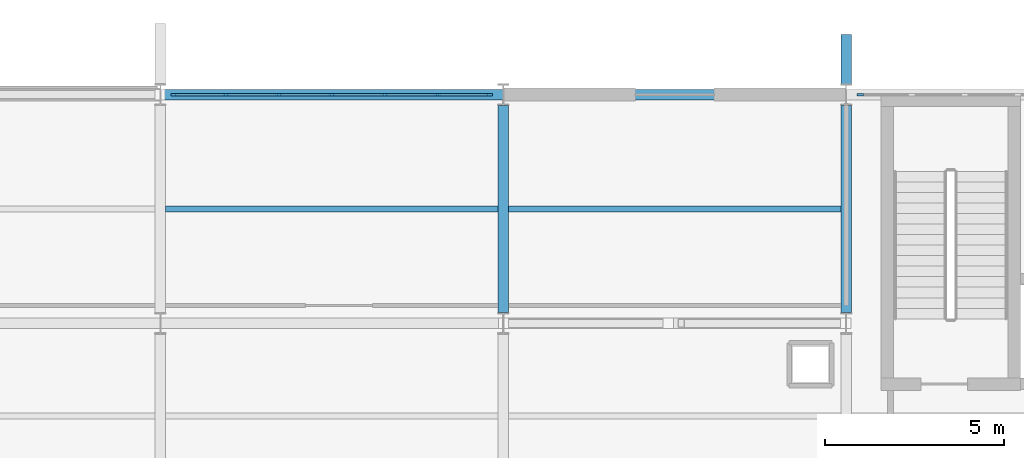
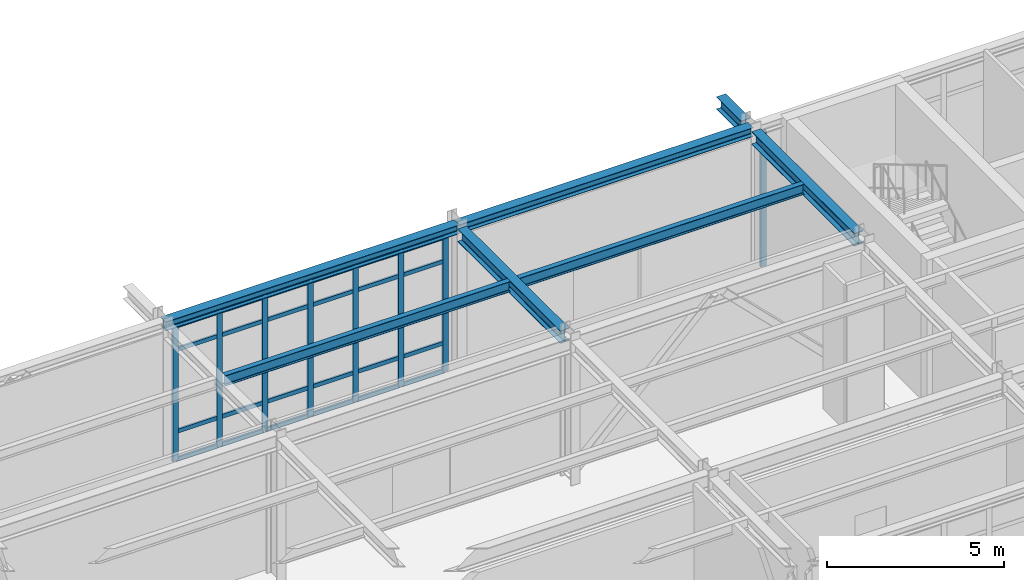
# One storey, part 57 of 109: 32 members, 7 beams, 2 elements without a shape of their own.
"""IFC4 building model written with IfcOpenShell, lengths in metres."""

from ifc_helpers import new_model, si_unit, direction, frame, origin, origin_2d, place, context, subcontext, project, spatial, rectangle, i_section, extrude, material, layer, layer_set, material_profile, profile_set, type_object, element, aggregate, save


model = new_model("IFC4")

# Units and contexts
model_context = context("Model", 3, precision=1e-05, world=origin(), true_north=direction((0.0, 1.0)))
body_context = subcontext(model_context, "Body", "Model", "MODEL_VIEW")
ifc_project = project(units=[si_unit("LENGTHUNIT", "METRE"), si_unit("AREAUNIT", "SQUARE_METRE"), si_unit("VOLUMEUNIT", "CUBIC_METRE"), si_unit("PLANEANGLEUNIT", "RADIAN"), si_unit("MASSUNIT", "GRAM", prefix="KILO")], contexts=[model_context])

# Site, building, storey
site_placement = place(None, origin())
site = spatial("IfcSite", under=ifc_project, at=site_placement, CompositionType="ELEMENT")
building_placement = place(site_placement, origin())
building = spatial("IfcBuilding", under=site, at=building_placement, Name="Nordkorset Police Headquarters", CompositionType="ELEMENT")
storey_placement = place(building_placement, origin())
storey = spatial("IfcBuildingStorey", under=building, at=storey_placement, Name="L00", CompositionType="ELEMENT", Elevation=0.0)

# Beams
ifc_material_1 = material(Name="Steel S355J2", Category="steel")
ifc_material_profile_1 = material_profile(ifc_material_1, i_section(OverallWidth=0.169921875, OverallDepth=0.360107421875, WebThickness=0.008056640625, FlangeThickness=0.0126953125, FilletRadius=0.01806640625, at=origin_2d()), Name="IPE 360")
ifc_profile_set_1 = profile_set([ifc_material_profile_1], Name="Steel S355J2")
beam_type_1 = type_object("IfcBeamType", Name="Beam_IPE_360", PredefinedType="BEAM", material=ifc_profile_set_1)
for number, where, z_axis, x_axis, name in (
    (1, (38.550048828125, 113.60009765625, 4.820068359375), (1.0, 0.0, 0.0), (0.0, 1.0, 0.0), "Composite Floor Beam V2 L00 1-2-1"),
    (2, (48.14990234375, 113.60009765625, 4.820068359375), (1.0, 0.0, 0.0), (0.0, 1.0, 0.0), "Composite Floor Beam V2 L00 2-2-1"),
):
    element("IfcBeam", number, at=place(storey_placement, frame(where, z_axis=z_axis, x_axis=x_axis)), inside=storey, type_object=beam_type_1, Name=name, PredefinedType="BEAM", context=body_context, shape_type="SweptSolid", body=[
        extrude(i_section(OverallWidth=0.169921875, OverallDepth=0.360107421875, WebThickness=0.008056640625, FlangeThickness=0.0126953125, FilletRadius=0.01806640625, at=origin_2d()), origin(), (0.0, 0.0, 1.0), 9.300048828125),
    ])

# Curtain wall, members
ifc_material_2 = material(Name="Aluminium alloy AW-6060", Category="aluminium")
ifc_layer = layer(ifc_material_2, 0.179931640625, Name="Aluminium alloy AW-6060")
ifc_layer_set = layer_set([ifc_layer], Name="Aluminium alloy AW-6060")
curtain_wall_type = type_object("IfcCurtainWallType", Name="CW_Unit_888x467", PredefinedType="USERDEFINED", material=ifc_layer_set)
curtain_wall_1_placement = place(storey_placement, origin())
curtain_wall_1 = element("IfcCurtainWall", 3, at=curtain_wall_1_placement, inside=storey, type_object=curtain_wall_type, Name="Unitised Curtain Wall L00 V2N-1", ObjectType="UNITISED CURTAIN WALL", PredefinedType="USERDEFINED")
ifc_material_3 = material(Name="Aluminium alloy AW-6060", Category="aluminium")
ifc_material_profile_2 = material_profile(ifc_material_3, rectangle(XDim=0.06494140625, YDim=0.179931640625, at=origin_2d()), Name="ALU MULL 65x180")
ifc_profile_set_2 = profile_set([ifc_material_profile_2], Name="Aluminium alloy AW-6060")
member_type_1 = type_object("IfcMemberType", Name="CW_Mullion_65x180", PredefinedType="MULLION", material=ifc_profile_set_2)
member_1_placement = place(storey_placement, frame((38.79248046875, 116.800048828125, 0.0), z_axis=(0.0, 0.0, 1.0), x_axis=(0.0, 1.0, 0.0)))
member_1 = element("IfcMember", 4, at=member_1_placement, type_object=member_type_1, Name="CW-51 mullion 1", PredefinedType="MULLION", context=body_context, shape_type="SweptSolid", body=[
    extrude(rectangle(XDim=0.06494140625, YDim=0.179931640625, at=origin_2d()), origin(), (0.0, 0.0, 1.0), 4.669921875),
])
member_2_placement = place(storey_placement, frame((40.239990234375, 116.800048828125, 0.0), z_axis=(0.0, 0.0, 1.0), x_axis=(0.0, 1.0, 0.0)))
member_2 = element("IfcMember", 5, at=member_2_placement, type_object=member_type_1, Name="CW-51 mullion 2", PredefinedType="MULLION", context=body_context, shape_type="SweptSolid", body=[
    extrude(rectangle(XDim=0.06494140625, YDim=0.179931640625, at=origin_2d()), origin(), (0.0, 0.0, 1.0), 4.669921875),
])
member_3_placement = place(storey_placement, frame((41.719970703125, 116.800048828125, 0.0), z_axis=(0.0, 0.0, 1.0), x_axis=(0.0, 1.0, 0.0)))
member_3 = element("IfcMember", 6, at=member_3_placement, type_object=member_type_1, Name="CW-51 mullion 3", PredefinedType="MULLION", context=body_context, shape_type="SweptSolid", body=[
    extrude(rectangle(XDim=0.06494140625, YDim=0.179931640625, at=origin_2d()), origin(), (0.0, 0.0, 1.0), 4.669921875),
])
member_4_placement = place(storey_placement, frame((43.199951171875, 116.800048828125, 0.0), z_axis=(0.0, 0.0, 1.0), x_axis=(0.0, 1.0, 0.0)))
member_4 = element("IfcMember", 7, at=member_4_placement, type_object=member_type_1, Name="CW-51 mullion 4", PredefinedType="MULLION", context=body_context, shape_type="SweptSolid", body=[
    extrude(rectangle(XDim=0.06494140625, YDim=0.179931640625, at=origin_2d()), origin(), (0.0, 0.0, 1.0), 4.669921875),
])
member_5_placement = place(storey_placement, frame((44.679931640625, 116.800048828125, 0.0), z_axis=(0.0, 0.0, 1.0), x_axis=(0.0, 1.0, 0.0)))
member_5 = element("IfcMember", 8, at=member_5_placement, type_object=member_type_1, Name="CW-51 mullion 5", PredefinedType="MULLION", context=body_context, shape_type="SweptSolid", body=[
    extrude(rectangle(XDim=0.06494140625, YDim=0.179931640625, at=origin_2d()), origin(), (0.0, 0.0, 1.0), 4.669921875),
])
member_6_placement = place(storey_placement, frame((46.159912109375, 116.800048828125, 0.0), z_axis=(0.0, 0.0, 1.0), x_axis=(0.0, 1.0, 0.0)))
member_6 = element("IfcMember", 9, at=member_6_placement, type_object=member_type_1, Name="CW-51 mullion 6", PredefinedType="MULLION", context=body_context, shape_type="SweptSolid", body=[
    extrude(rectangle(XDim=0.06494140625, YDim=0.179931640625, at=origin_2d()), origin(), (0.0, 0.0, 1.0), 4.669921875),
])
member_7_placement = place(storey_placement, frame((47.607421875, 116.800048828125, 0.0), z_axis=(0.0, 0.0, 1.0), x_axis=(0.0, 1.0, 0.0)))
member_7 = element("IfcMember", 10, at=member_7_placement, type_object=member_type_1, Name="CW-51 mullion 7", PredefinedType="MULLION", context=body_context, shape_type="SweptSolid", body=[
    extrude(rectangle(XDim=0.06494140625, YDim=0.179931640625, at=origin_2d()), origin(), (0.0, 0.0, 1.0), 4.669921875),
])

# Curtain wall, member
curtain_wall_2_placement = place(storey_placement, origin())
curtain_wall_2 = element("IfcCurtainWall", 11, at=curtain_wall_2_placement, inside=storey, type_object=curtain_wall_type, Name="Unitised Curtain Wall L00 V2N-3", ObjectType="UNITISED CURTAIN WALL", PredefinedType="USERDEFINED")
member_8_placement = place(storey_placement, frame((57.992431640625, 116.800048828125, 0.0), z_axis=(0.0, 0.0, 1.0), x_axis=(0.0, 1.0, 0.0)))
member_8 = element("IfcMember", 12, at=member_8_placement, type_object=member_type_1, Name="CW-51 mullion 1", PredefinedType="MULLION", context=body_context, shape_type="SweptSolid", body=[
    extrude(rectangle(XDim=0.06494140625, YDim=0.179931640625, at=origin_2d()), origin(), (0.0, 0.0, 1.0), 4.669921875),
])
aggregate(curtain_wall_2, [member_8])

# Member
ifc_material_4 = material(Name="Aluminium alloy AW-6060", Category="aluminium")
ifc_material_profile_3 = material_profile(ifc_material_4, rectangle(XDim=0.06494140625, YDim=0.139892578125, at=origin_2d()), Name="ALU TRAN 65x140")
ifc_profile_set_3 = profile_set([ifc_material_profile_3], Name="Aluminium alloy AW-6060")
member_type_2 = type_object("IfcMemberType", Name="CW_Transom_65x140", PredefinedType="USERDEFINED", material=ifc_profile_set_3)
member_9_placement = place(storey_placement, frame((38.824951171875, 116.800048828125, 0.032470703125), z_axis=(1.0, 0.0, 0.0), x_axis=(0.0, 1.0, 0.0)))
member_9 = element("IfcMember", 13, at=member_9_placement, type_object=member_type_2, Name="CW-51 transom 1.1", ObjectType="TRANSOM", PredefinedType="USERDEFINED", context=body_context, shape_type="SweptSolid", body=[
    extrude(rectangle(XDim=0.06494140625, YDim=0.139892578125, at=origin_2d()), origin(), (0.0, 0.0, 1.0), 1.382568359375),
])

member_10_placement = place(storey_placement, frame((38.824951171875, 116.800048828125, 1.0), z_axis=(1.0, 0.0, 0.0), x_axis=(0.0, 1.0, 0.0)))
member_10 = element("IfcMember", 14, at=member_10_placement, type_object=member_type_2, Name="CW-51 transom 1.2", ObjectType="TRANSOM", PredefinedType="USERDEFINED", context=body_context, shape_type="SweptSolid", body=[
    extrude(rectangle(XDim=0.06494140625, YDim=0.139892578125, at=origin_2d()), origin(), (0.0, 0.0, 1.0), 1.382568359375),
])

member_11_placement = place(storey_placement, frame((38.824951171875, 116.800048828125, 3.820068359375), z_axis=(1.0, 0.0, 0.0), x_axis=(0.0, 1.0, 0.0)))
member_11 = element("IfcMember", 15, at=member_11_placement, type_object=member_type_2, Name="CW-51 transom 1.3", ObjectType="TRANSOM", PredefinedType="USERDEFINED", context=body_context, shape_type="SweptSolid", body=[
    extrude(rectangle(XDim=0.06494140625, YDim=0.139892578125, at=origin_2d()), origin(), (0.0, 0.0, 1.0), 1.382568359375),
])

member_12_placement = place(storey_placement, frame((38.824951171875, 116.800048828125, 4.637451171875), z_axis=(1.0, 0.0, 0.0), x_axis=(0.0, 1.0, 0.0)))
member_12 = element("IfcMember", 16, at=member_12_placement, type_object=member_type_2, Name="CW-51 transom 1.4", ObjectType="TRANSOM", PredefinedType="USERDEFINED", context=body_context, shape_type="SweptSolid", body=[
    extrude(rectangle(XDim=0.06494140625, YDim=0.139892578125, at=origin_2d()), origin(), (0.0, 0.0, 1.0), 1.382568359375),
])

member_13_placement = place(storey_placement, frame((40.2724609375, 116.800048828125, 0.032470703125), z_axis=(1.0, 0.0, 0.0), x_axis=(0.0, 1.0, 0.0)))
member_13 = element("IfcMember", 17, at=member_13_placement, type_object=member_type_2, Name="CW-51 transom 2.1", ObjectType="TRANSOM", PredefinedType="USERDEFINED", context=body_context, shape_type="SweptSolid", body=[
    extrude(rectangle(XDim=0.06494140625, YDim=0.139892578125, at=origin_2d()), origin(), (0.0, 0.0, 1.0), 1.4150390625),
])

member_14_placement = place(storey_placement, frame((40.2724609375, 116.800048828125, 1.0), z_axis=(1.0, 0.0, 0.0), x_axis=(0.0, 1.0, 0.0)))
member_14 = element("IfcMember", 18, at=member_14_placement, type_object=member_type_2, Name="CW-51 transom 2.2", ObjectType="TRANSOM", PredefinedType="USERDEFINED", context=body_context, shape_type="SweptSolid", body=[
    extrude(rectangle(XDim=0.06494140625, YDim=0.139892578125, at=origin_2d()), origin(), (0.0, 0.0, 1.0), 1.4150390625),
])

member_15_placement = place(storey_placement, frame((40.2724609375, 116.800048828125, 3.820068359375), z_axis=(1.0, 0.0, 0.0), x_axis=(0.0, 1.0, 0.0)))
member_15 = element("IfcMember", 19, at=member_15_placement, type_object=member_type_2, Name="CW-51 transom 2.3", ObjectType="TRANSOM", PredefinedType="USERDEFINED", context=body_context, shape_type="SweptSolid", body=[
    extrude(rectangle(XDim=0.06494140625, YDim=0.139892578125, at=origin_2d()), origin(), (0.0, 0.0, 1.0), 1.4150390625),
])

member_16_placement = place(storey_placement, frame((40.2724609375, 116.800048828125, 4.637451171875), z_axis=(1.0, 0.0, 0.0), x_axis=(0.0, 1.0, 0.0)))
member_16 = element("IfcMember", 20, at=member_16_placement, type_object=member_type_2, Name="CW-51 transom 2.4", ObjectType="TRANSOM", PredefinedType="USERDEFINED", context=body_context, shape_type="SweptSolid", body=[
    extrude(rectangle(XDim=0.06494140625, YDim=0.139892578125, at=origin_2d()), origin(), (0.0, 0.0, 1.0), 1.4150390625),
])

member_17_placement = place(storey_placement, frame((41.75244140625, 116.800048828125, 0.032470703125), z_axis=(1.0, 0.0, 0.0), x_axis=(0.0, 1.0, 0.0)))
member_17 = element("IfcMember", 21, at=member_17_placement, type_object=member_type_2, Name="CW-51 transom 3.1", ObjectType="TRANSOM", PredefinedType="USERDEFINED", context=body_context, shape_type="SweptSolid", body=[
    extrude(rectangle(XDim=0.06494140625, YDim=0.139892578125, at=origin_2d()), origin(), (0.0, 0.0, 1.0), 1.4150390625),
])

member_18_placement = place(storey_placement, frame((41.75244140625, 116.800048828125, 1.0), z_axis=(1.0, 0.0, 0.0), x_axis=(0.0, 1.0, 0.0)))
member_18 = element("IfcMember", 22, at=member_18_placement, type_object=member_type_2, Name="CW-51 transom 3.2", ObjectType="TRANSOM", PredefinedType="USERDEFINED", context=body_context, shape_type="SweptSolid", body=[
    extrude(rectangle(XDim=0.06494140625, YDim=0.139892578125, at=origin_2d()), origin(), (0.0, 0.0, 1.0), 1.4150390625),
])

member_19_placement = place(storey_placement, frame((41.75244140625, 116.800048828125, 3.820068359375), z_axis=(1.0, 0.0, 0.0), x_axis=(0.0, 1.0, 0.0)))
member_19 = element("IfcMember", 23, at=member_19_placement, type_object=member_type_2, Name="CW-51 transom 3.3", ObjectType="TRANSOM", PredefinedType="USERDEFINED", context=body_context, shape_type="SweptSolid", body=[
    extrude(rectangle(XDim=0.06494140625, YDim=0.139892578125, at=origin_2d()), origin(), (0.0, 0.0, 1.0), 1.4150390625),
])

member_20_placement = place(storey_placement, frame((41.75244140625, 116.800048828125, 4.637451171875), z_axis=(1.0, 0.0, 0.0), x_axis=(0.0, 1.0, 0.0)))
member_20 = element("IfcMember", 24, at=member_20_placement, type_object=member_type_2, Name="CW-51 transom 3.4", ObjectType="TRANSOM", PredefinedType="USERDEFINED", context=body_context, shape_type="SweptSolid", body=[
    extrude(rectangle(XDim=0.06494140625, YDim=0.139892578125, at=origin_2d()), origin(), (0.0, 0.0, 1.0), 1.4150390625),
])

member_21_placement = place(storey_placement, frame((43.232421875, 116.800048828125, 0.032470703125), z_axis=(1.0, 0.0, 0.0), x_axis=(0.0, 1.0, 0.0)))
member_21 = element("IfcMember", 25, at=member_21_placement, type_object=member_type_2, Name="CW-51 transom 4.1", ObjectType="TRANSOM", PredefinedType="USERDEFINED", context=body_context, shape_type="SweptSolid", body=[
    extrude(rectangle(XDim=0.06494140625, YDim=0.139892578125, at=origin_2d()), origin(), (0.0, 0.0, 1.0), 1.4150390625),
])

member_22_placement = place(storey_placement, frame((43.232421875, 116.800048828125, 1.0), z_axis=(1.0, 0.0, 0.0), x_axis=(0.0, 1.0, 0.0)))
member_22 = element("IfcMember", 26, at=member_22_placement, type_object=member_type_2, Name="CW-51 transom 4.2", ObjectType="TRANSOM", PredefinedType="USERDEFINED", context=body_context, shape_type="SweptSolid", body=[
    extrude(rectangle(XDim=0.06494140625, YDim=0.139892578125, at=origin_2d()), origin(), (0.0, 0.0, 1.0), 1.4150390625),
])

member_23_placement = place(storey_placement, frame((43.232421875, 116.800048828125, 3.820068359375), z_axis=(1.0, 0.0, 0.0), x_axis=(0.0, 1.0, 0.0)))
member_23 = element("IfcMember", 27, at=member_23_placement, type_object=member_type_2, Name="CW-51 transom 4.3", ObjectType="TRANSOM", PredefinedType="USERDEFINED", context=body_context, shape_type="SweptSolid", body=[
    extrude(rectangle(XDim=0.06494140625, YDim=0.139892578125, at=origin_2d()), origin(), (0.0, 0.0, 1.0), 1.4150390625),
])

member_24_placement = place(storey_placement, frame((43.232421875, 116.800048828125, 4.637451171875), z_axis=(1.0, 0.0, 0.0), x_axis=(0.0, 1.0, 0.0)))
member_24 = element("IfcMember", 28, at=member_24_placement, type_object=member_type_2, Name="CW-51 transom 4.4", ObjectType="TRANSOM", PredefinedType="USERDEFINED", context=body_context, shape_type="SweptSolid", body=[
    extrude(rectangle(XDim=0.06494140625, YDim=0.139892578125, at=origin_2d()), origin(), (0.0, 0.0, 1.0), 1.4150390625),
])

member_25_placement = place(storey_placement, frame((44.71240234375, 116.800048828125, 0.032470703125), z_axis=(1.0, 0.0, 0.0), x_axis=(0.0, 1.0, 0.0)))
member_25 = element("IfcMember", 29, at=member_25_placement, type_object=member_type_2, Name="CW-51 transom 5.1", ObjectType="TRANSOM", PredefinedType="USERDEFINED", context=body_context, shape_type="SweptSolid", body=[
    extrude(rectangle(XDim=0.06494140625, YDim=0.139892578125, at=origin_2d()), origin(), (0.0, 0.0, 1.0), 1.4150390625),
])

member_26_placement = place(storey_placement, frame((44.71240234375, 116.800048828125, 1.0), z_axis=(1.0, 0.0, 0.0), x_axis=(0.0, 1.0, 0.0)))
member_26 = element("IfcMember", 30, at=member_26_placement, type_object=member_type_2, Name="CW-51 transom 5.2", ObjectType="TRANSOM", PredefinedType="USERDEFINED", context=body_context, shape_type="SweptSolid", body=[
    extrude(rectangle(XDim=0.06494140625, YDim=0.139892578125, at=origin_2d()), origin(), (0.0, 0.0, 1.0), 1.4150390625),
])

member_27_placement = place(storey_placement, frame((44.71240234375, 116.800048828125, 3.820068359375), z_axis=(1.0, 0.0, 0.0), x_axis=(0.0, 1.0, 0.0)))
member_27 = element("IfcMember", 31, at=member_27_placement, type_object=member_type_2, Name="CW-51 transom 5.3", ObjectType="TRANSOM", PredefinedType="USERDEFINED", context=body_context, shape_type="SweptSolid", body=[
    extrude(rectangle(XDim=0.06494140625, YDim=0.139892578125, at=origin_2d()), origin(), (0.0, 0.0, 1.0), 1.4150390625),
])

member_28_placement = place(storey_placement, frame((44.71240234375, 116.800048828125, 4.637451171875), z_axis=(1.0, 0.0, 0.0), x_axis=(0.0, 1.0, 0.0)))
member_28 = element("IfcMember", 32, at=member_28_placement, type_object=member_type_2, Name="CW-51 transom 5.4", ObjectType="TRANSOM", PredefinedType="USERDEFINED", context=body_context, shape_type="SweptSolid", body=[
    extrude(rectangle(XDim=0.06494140625, YDim=0.139892578125, at=origin_2d()), origin(), (0.0, 0.0, 1.0), 1.4150390625),
])

member_29_placement = place(storey_placement, frame((46.1923828125, 116.800048828125, 0.032470703125), z_axis=(1.0, 0.0, 0.0), x_axis=(0.0, 1.0, 0.0)))
member_29 = element("IfcMember", 33, at=member_29_placement, type_object=member_type_2, Name="CW-51 transom 6.1", ObjectType="TRANSOM", PredefinedType="USERDEFINED", context=body_context, shape_type="SweptSolid", body=[
    extrude(rectangle(XDim=0.06494140625, YDim=0.139892578125, at=origin_2d()), origin(), (0.0, 0.0, 1.0), 1.382568359375),
])

member_30_placement = place(storey_placement, frame((46.1923828125, 116.800048828125, 1.0), z_axis=(1.0, 0.0, 0.0), x_axis=(0.0, 1.0, 0.0)))
member_30 = element("IfcMember", 34, at=member_30_placement, type_object=member_type_2, Name="CW-51 transom 6.2", ObjectType="TRANSOM", PredefinedType="USERDEFINED", context=body_context, shape_type="SweptSolid", body=[
    extrude(rectangle(XDim=0.06494140625, YDim=0.139892578125, at=origin_2d()), origin(), (0.0, 0.0, 1.0), 1.382568359375),
])

member_31_placement = place(storey_placement, frame((46.1923828125, 116.800048828125, 3.820068359375), z_axis=(1.0, 0.0, 0.0), x_axis=(0.0, 1.0, 0.0)))
member_31 = element("IfcMember", 35, at=member_31_placement, type_object=member_type_2, Name="CW-51 transom 6.3", ObjectType="TRANSOM", PredefinedType="USERDEFINED", context=body_context, shape_type="SweptSolid", body=[
    extrude(rectangle(XDim=0.06494140625, YDim=0.139892578125, at=origin_2d()), origin(), (0.0, 0.0, 1.0), 1.382568359375),
])

member_32_placement = place(storey_placement, frame((46.1923828125, 116.800048828125, 4.637451171875), z_axis=(1.0, 0.0, 0.0), x_axis=(0.0, 1.0, 0.0)))
member_32 = element("IfcMember", 36, at=member_32_placement, type_object=member_type_2, Name="CW-51 transom 6.4", ObjectType="TRANSOM", PredefinedType="USERDEFINED", context=body_context, shape_type="SweptSolid", body=[
    extrude(rectangle(XDim=0.06494140625, YDim=0.139892578125, at=origin_2d()), origin(), (0.0, 0.0, 1.0), 1.382568359375),
])

aggregate(curtain_wall_1, [member_1, member_2, member_3, member_4, member_5, member_6, member_7, member_9, member_10, member_11, member_12, member_13, member_14, member_15, member_16, member_17, member_18, member_19, member_20, member_21, member_22, member_23, member_24, member_25, member_26, member_27, member_28, member_29, member_30, member_31, member_32])

# Beams
ifc_material_5 = material(Name="Steel S355J2", Category="steel")
ifc_material_profile_4 = material_profile(ifc_material_5, i_section(OverallWidth=0.300048828125, OverallDepth=0.43994140625, WebThickness=0.011474609375, FlangeThickness=0.02099609375, FilletRadius=0.027099609375, at=origin_2d()), Name="HEA 450")
ifc_profile_set_4 = profile_set([ifc_material_profile_4], Name="Steel S355J2")
beam_type_2 = type_object("IfcBeamType", Name="Girder_HEA_450", PredefinedType="USERDEFINED", material=ifc_profile_set_4)
for number, where, z_axis, x_axis, name in (
    (37, (48.0, 110.699951171875, 4.780029296875), (0.0, 1.0, 0.0), (-1.0, 0.0, 0.0), "Girder V2 L00 GY-2-2"),
    (38, (57.60009765625, 110.699951171875, 4.780029296875), (0.0, 1.0, 0.0), (-1.0, 0.0, 0.0), "Girder V2 L00 GY-3-2"),
):
    element("IfcBeam", number, at=place(storey_placement, frame(where, z_axis=z_axis, x_axis=x_axis)), inside=storey, type_object=beam_type_2, Name=name, ObjectType="GIRDER", PredefinedType="USERDEFINED", context=body_context, shape_type="SweptSolid", body=[
        extrude(i_section(OverallWidth=0.300048828125, OverallDepth=0.43994140625, WebThickness=0.011474609375, FlangeThickness=0.02099609375, FilletRadius=0.027099609375, at=origin_2d()), origin(), (0.0, 0.0, 1.0), 5.800048828125),
    ])
beam_placement = place(storey_placement, frame((57.60009765625, 117.10009765625, 4.780029296875), z_axis=(0.0, 1.0, 0.0), x_axis=(-1.0, 0.0, 0.0)))
element("IfcBeam", 39, at=beam_placement, inside=storey, type_object=beam_type_2, Name="Sawtooth Facade Outrigger V2 L00 57", ObjectType="GIRDER", PredefinedType="USERDEFINED", context=body_context, shape_type="SweptSolid", body=[
    extrude(i_section(OverallWidth=0.300048828125, OverallDepth=0.43994140625, WebThickness=0.011474609375, FlangeThickness=0.02099609375, FilletRadius=0.027099609375, at=origin_2d()), origin(), (0.0, 0.0, 1.0), 1.389892578125),
])
ifc_material_6 = material(Name="Steel S355J2", Category="steel")
ifc_material_profile_5 = material_profile(ifc_material_6, i_section(OverallWidth=0.300048828125, OverallDepth=0.31005859375, WebThickness=0.009033203125, FlangeThickness=0.015380859375, FilletRadius=0.027099609375, at=origin_2d()), Name="HEA 320")
ifc_profile_set_5 = profile_set([ifc_material_profile_5], Name="Steel S355J2")
beam_type_3 = type_object("IfcBeamType", Name="Spandrel_HEA_320", PredefinedType="SPANDREL", material=ifc_profile_set_5)
for number, where, z_axis, x_axis, name in (
    (40, (38.40771484375, 116.800048828125, 4.844970703125), (1.0, 0.0, 0.0), (0.0, 1.0, 0.0), "Girder V2 L00 GX-3-1"),
    (41, (48.0078125, 116.800048828125, 4.844970703125), (1.0, 0.0, 0.0), (0.0, 1.0, 0.0), "Girder V2 L00 GX-3-2"),
):
    element("IfcBeam", number, at=place(storey_placement, frame(where, z_axis=z_axis, x_axis=x_axis)), inside=storey, type_object=beam_type_3, Name=name, PredefinedType="SPANDREL", context=body_context, shape_type="SweptSolid", body=[
        extrude(i_section(OverallWidth=0.300048828125, OverallDepth=0.31005859375, WebThickness=0.009033203125, FlangeThickness=0.015380859375, FilletRadius=0.027099609375, at=origin_2d()), origin(), (0.0, 0.0, 1.0), 9.58447265625),
    ])

save(model, "model.ifc")
